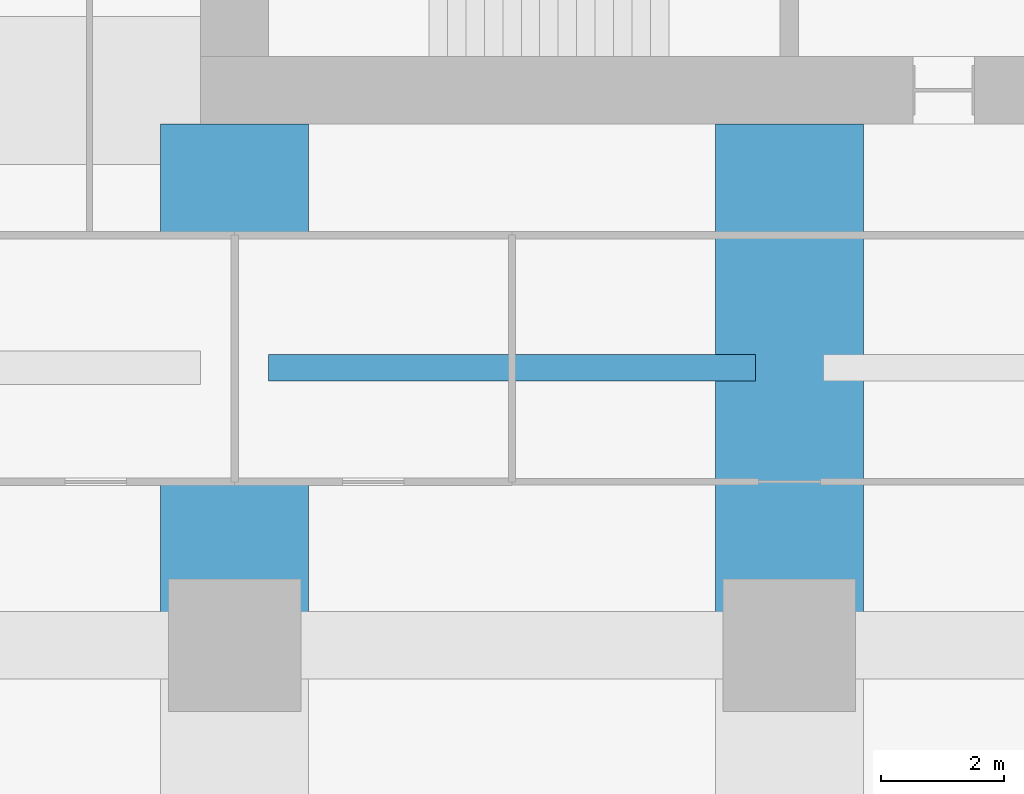
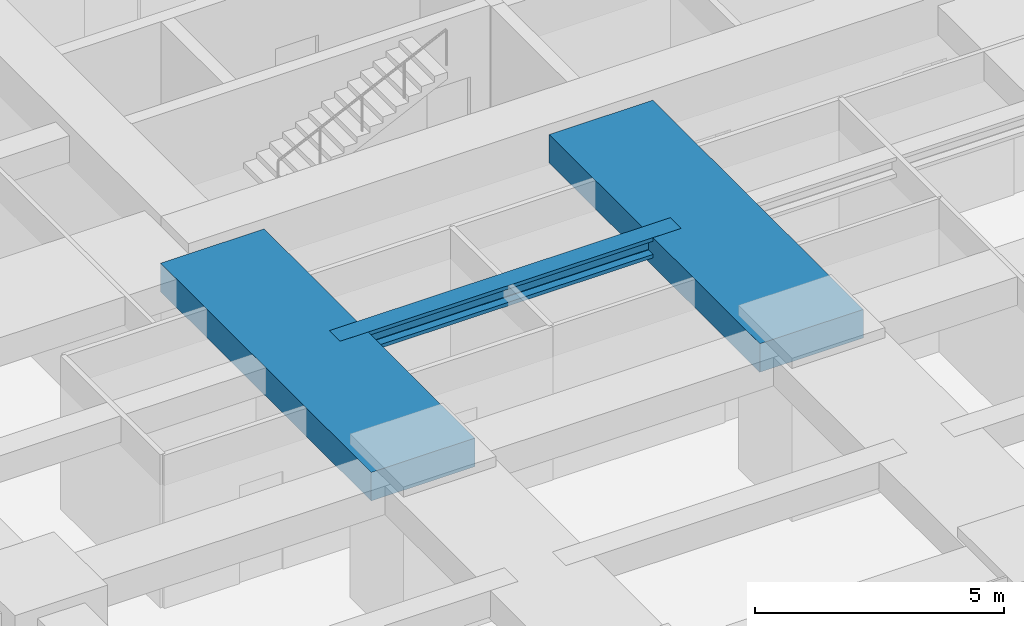
# One storey, part 7 of 43: 3 beams.
"""IFC4 building model written with IfcOpenShell, lengths in metres."""

from ifc_helpers import new_model, si_unit, direction, frame, origin, origin_2d, place, context, subcontext, project, spatial, rectangle, i_section, extrude, material, material_profile, profile_set, type_object, element, save


model = new_model("IFC4")

# Units and contexts
model_context = context("Model", 3, precision=1e-05, world=origin(), true_north=direction((0.0, 1.0)))
body_context = subcontext(model_context, "Body", "Model", "MODEL_VIEW")
ifc_project = project(units=[si_unit("LENGTHUNIT", "METRE"), si_unit("AREAUNIT", "SQUARE_METRE"), si_unit("VOLUMEUNIT", "CUBIC_METRE"), si_unit("PLANEANGLEUNIT", "RADIAN"), si_unit("MASSUNIT", "GRAM", prefix="KILO")], contexts=[model_context])

# Site, building, storey
site_placement = place(None, origin())
site = spatial("IfcSite", under=ifc_project, at=site_placement, CompositionType="ELEMENT")
building_placement = place(site_placement, origin())
building = spatial("IfcBuilding", under=site, at=building_placement, Name="Zorevar Civic Tower", CompositionType="ELEMENT")
storey_placement = place(building_placement, frame((0.0, 0.0, 67.800048828125)))
storey = spatial("IfcBuildingStorey", under=building, at=storey_placement, Name="L16", CompositionType="ELEMENT", Elevation=67.800048828125)

# Beams
ifc_material_1 = material(Name="Concrete C50/60", Category="concrete")
ifc_material_profile_1 = material_profile(ifc_material_1, rectangle(XDim=2.39990234375, YDim=0.699951171875, at=origin_2d()), Name="RC 2400x700")
ifc_profile_set_1 = profile_set([ifc_material_profile_1], Name="Concrete C50/60")
beam_type_1 = type_object("IfcBeamType", Name="Beam RC 2400x700", PredefinedType="BEAM", material=ifc_profile_set_1)
for number, where, z_axis, x_axis, name in (
    (1, (18.0, 9.0, 3.39990234375), (0.0, 1.0, 0.0), (-1.0, 0.0, 0.0), "Girder L17"),
    (2, (27.0, 9.0, 3.39990234375), (0.0, 1.0, 0.0), (-1.0, 0.0, 0.0), "Girder L17"),
):
    element("IfcBeam", number, at=place(storey_placement, frame(where, z_axis=z_axis, x_axis=x_axis)), inside=storey, type_object=beam_type_1, Name=name, PredefinedType="BEAM", context=body_context, shape_type="SweptSolid", body=[
        extrude(rectangle(XDim=2.39990234375, YDim=0.699951171875, at=origin_2d()), origin(), (0.0, 0.0, 1.0), 8.449951171875),
    ])
ifc_material_2 = material(Name="Steel S460M (HISTAR 460)", Category="steel")
ifc_material_profile_2 = material_profile(ifc_material_2, i_section(OverallWidth=0.431884765625, OverallDepth=0.498046875, WebThickness=0.0556640625, FlangeThickness=0.0888671875, FilletRadius=0.014892578125, at=origin_2d()), Name="HD 400x744")
ifc_profile_set_2 = profile_set([ifc_material_profile_2], Name="Steel S460M (HISTAR 460)")
beam_type_2 = type_object("IfcBeamType", Name="Core bay beam HD 400x744", PredefinedType="BEAM", material=ifc_profile_set_2)
beam_placement = place(storey_placement, frame((18.550048828125, 13.5, 3.5009765625), z_axis=(1.0, 0.0, 0.0), x_axis=(0.0, 1.0, 0.0)))
element("IfcBeam", 3, at=beam_placement, inside=storey, type_object=beam_type_2, Name="Secondary beam L17", PredefinedType="BEAM", context=body_context, shape_type="SweptSolid", body=[
    extrude(i_section(OverallWidth=0.431884765625, OverallDepth=0.498046875, WebThickness=0.0556640625, FlangeThickness=0.0888671875, FilletRadius=0.014892578125, at=origin_2d()), origin(), (0.0, 0.0, 1.0), 7.89990234375),
])

save(model, "model.ifc")
